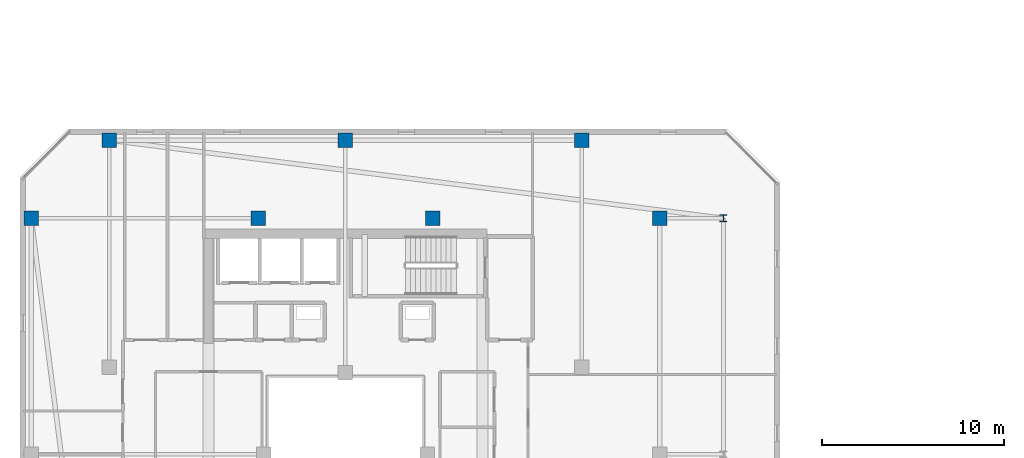
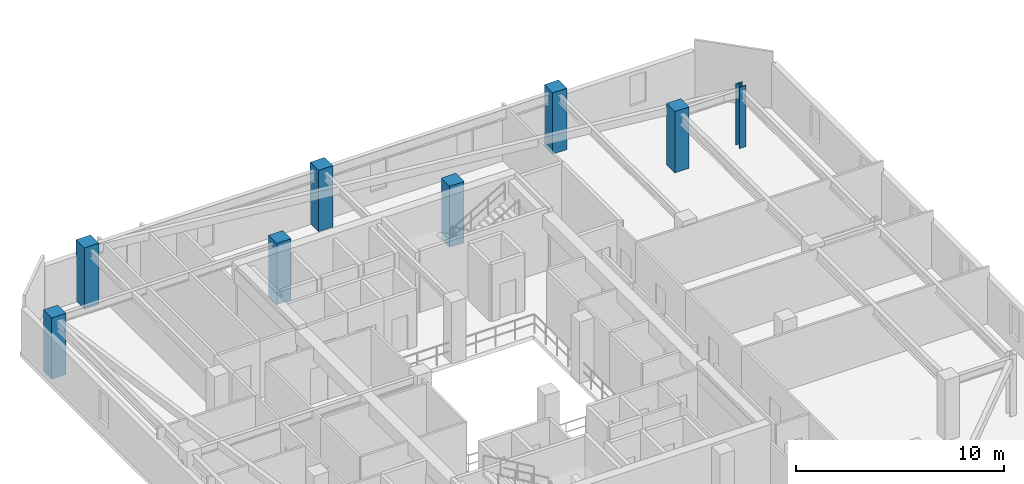
# One storey, part 3 of 35: 8 columns.
"""IFC4 building model written with IfcOpenShell, lengths in metres."""

import ifcopenshell
import ifcopenshell.guid

model = None  # the IFC model being written
_history = None  # IfcOwnerHistory: only IFC2X3 demands one
_inside = {}  # id of a spatial element -> (the spatial element, [elements in it])
_under = {}  # id of a project, library or spatial element -> (it, [spatial elements below it])
_declared = {}  # id of a project -> (the project, [libraries it declares])
_typed = {}  # id of a type object -> (the type object, [elements of that type])
_made_of = {}  # id of a material, layer set ... -> (it, [elements and type objects made of it])


def new_model(schema):
    """Start an empty IFC model of exactly this schema.

    Asked for "IFC4X3", IfcOpenShell would pick the latest addendum, in which some entities
    have other attributes; the version numbers below select the first issue.
    IFC2X3 requires an IfcOwnerHistory on every rooted entity: one is made here for all.
    """
    global model, _history
    if schema == "IFC4X3":
        model = ifcopenshell.file(schema_version=(4, 3, 0, 0))
    else:
        model = ifcopenshell.file(schema=schema)
    _inside.clear()
    _under.clear()
    _declared.clear()
    _typed.clear()
    _made_of.clear()
    _history = None
    if model.schema == "IFC2X3":
        org = make("IfcOrganization", Name="unknown")
        user = make(
            "IfcPersonAndOrganization",
            ThePerson=make("IfcPerson", FamilyName="unknown"),
            TheOrganization=org,
        )
        app = make(
            "IfcApplication",
            ApplicationDeveloper=org,
            Version="unknown",
            ApplicationFullName="unknown",
            ApplicationIdentifier="unknown",
        )
        _history = make(
            "IfcOwnerHistory",
            OwningUser=user,
            OwningApplication=app,
            ChangeAction="ADDED",
            CreationDate=0,
        )
    return model


def make(cls, **values):
    """One entity of the class cls with the attributes given. An attribute that is None is left unset."""
    return model.create_entity(
        cls, **{name: value for name, value in values.items() if value is not None}
    )


def rooted(cls, **values):
    """An entity with a GlobalId (a new one), such as an element, a storey or a relation."""
    return make(cls, GlobalId=ifcopenshell.guid.new(), OwnerHistory=_history, **values)


def si_unit(unit_type, name, prefix=None):
    """IfcSIUnit, for example si_unit("LENGTHUNIT", "METRE", prefix="MILLI")."""
    return make("IfcSIUnit", UnitType=unit_type, Prefix=prefix, Name=name)


def assignment(units):
    """IfcUnitAssignment: the units of a project."""
    return None if units is None else make("IfcUnitAssignment", Units=units)


def point(xyz):
    """IfcCartesianPoint."""
    return None if xyz is None else make("IfcCartesianPoint", Coordinates=xyz)


def direction(xyz):
    """IfcDirection."""
    return None if xyz is None else make("IfcDirection", DirectionRatios=xyz)


def frame(location, z_axis=None, x_axis=None):
    """IfcAxis2Placement3D, a coordinate frame: its origin and axes. An axis left out is left unset."""
    return make(
        "IfcAxis2Placement3D",
        Location=point(location),
        Axis=direction(z_axis),
        RefDirection=direction(x_axis),
    )


def frame_2d(location, x_axis=None):
    """IfcAxis2Placement2D, a coordinate frame in the plane: its origin and x axis."""
    return make(
        "IfcAxis2Placement2D", Location=point(location), RefDirection=direction(x_axis)
    )


def origin():
    """The frame at (0, 0, 0) with its axes left unset."""
    return frame((0.0, 0.0, 0.0))


def origin_2d():
    """The frame at (0, 0) in the plane with its x axis left unset."""
    return frame_2d((0.0, 0.0))


def place(relative_to, where):
    """IfcLocalPlacement: puts the frame where relative to a parent placement (None: the world)."""
    return make(
        "IfcLocalPlacement", PlacementRelTo=relative_to, RelativePlacement=where
    )


def context(
    kind, dimensions, precision=None, world=None, true_north=None, identifier=None
):
    """IfcGeometricRepresentationContext, for example the 3D "Model" context."""
    return make(
        "IfcGeometricRepresentationContext",
        ContextIdentifier=identifier,
        ContextType=kind,
        CoordinateSpaceDimension=dimensions,
        Precision=precision,
        WorldCoordinateSystem=world,
        TrueNorth=true_north,
    )


def subcontext(parent, identifier, kind, view, scale=None):
    """IfcGeometricRepresentationSubContext, for example "Body" below "Model"."""
    return make(
        "IfcGeometricRepresentationSubContext",
        ContextIdentifier=identifier,
        ContextType=kind,
        ParentContext=parent,
        TargetScale=scale,
        TargetView=view,
    )


def project(units=None, contexts=None):
    """IfcProject with its units and contexts."""
    return rooted(
        "IfcProject",
        Name="project",
        RepresentationContexts=contexts,
        UnitsInContext=assignment(units),
    )


def spatial(cls, under=None, at=None, **own):
    """A site, building, storey or space (cls), placed at a placement, below another one or the project."""
    s = rooted(cls, ObjectPlacement=at, **own)
    if under is not None:
        _under.setdefault(under.id(), (under, []))[1].append(s)
    return s


def profile(cls, at=None, kind="AREA", **sizes):
    """A parametric profile (cls). Its sizes go by their IFC names, for example OverallWidth=200.0."""
    return make(cls, ProfileType=kind, Position=at, **sizes)


def rectangle(**sizes):
    """IfcRectangleProfileDef."""
    return profile("IfcRectangleProfileDef", **sizes)


def i_section(**sizes):
    """IfcIShapeProfileDef."""
    return profile("IfcIShapeProfileDef", **sizes)


def extrude(swept, where, along, depth):
    """IfcExtrudedAreaSolid: the profile swept, set in the frame where, extruded along a direction by depth."""
    return make(
        "IfcExtrudedAreaSolid",
        SweptArea=swept,
        Position=where,
        ExtrudedDirection=direction(along),
        Depth=depth,
    )


def shape(context_of_items, identifier, shape_type, items):
    """IfcShapeRepresentation: the items that make up one representation, for example the "Body"."""
    return make(
        "IfcShapeRepresentation",
        ContextOfItems=context_of_items,
        RepresentationIdentifier=identifier,
        RepresentationType=shape_type,
        Items=items,
    )


def material(Name=None, Category=None):
    """IfcMaterial."""
    return make("IfcMaterial", Name=Name, Category=Category)


def material_profile(
    of_material, cross_section, Name=None, Category=None, Priority=None
):
    """IfcMaterialProfile: a cross section and its material."""
    return make(
        "IfcMaterialProfile",
        Name=Name,
        Material=of_material,
        Profile=cross_section,
        Priority=Priority,
        Category=Category,
    )


def profile_set(profiles, Name=None, composite=None):
    """IfcMaterialProfileSet."""
    return make(
        "IfcMaterialProfileSet",
        Name=Name,
        MaterialProfiles=profiles,
        CompositeProfile=composite,
    )


def made_of(thing, what):
    """Note that an element or type object is made of a material, layer set ...; save() writes the relation."""
    if what is not None:
        _made_of.setdefault(what.id(), (what, []))[1].append(thing)
    return thing


def type_object(cls, material=None, **own):
    """A type object (cls), such as IfcWallType, which elements share."""
    return made_of(rooted(cls, **own), material)


def element(
    cls,
    number,
    at=None,
    inside=None,
    cuts=None,
    type_object=None,
    material=None,
    context=None,
    identifier="Body",
    shape_type=None,
    held_by="IfcProductDefinitionShape",
    body=None,
    shapes=None,
    **own,
):
    """One element of the class cls, such as IfcWall. Its Tag is "e" and its number.

    at: its placement. inside: the storey or other place that contains it. cuts: it is an
    opening in that element (IfcRelVoidsElement). A single representation is given by context,
    identifier, shape_type and body (its items); several are given by shapes. held_by: the class
    of the entity that holds the representations. save() writes the other relations.
    """
    e = rooted(cls, Tag="e%d" % number, ObjectPlacement=at, **own)
    if body is not None:
        shapes = [shape(context, identifier, shape_type, body)]
    if shapes is not None:
        e.Representation = make(held_by, Representations=shapes)
    if inside is not None:
        _inside.setdefault(inside.id(), (inside, []))[1].append(e)
    if cuts is not None:
        rooted(
            "IfcRelVoidsElement", RelatingBuildingElement=cuts, RelatedOpeningElement=e
        )
    if type_object is not None:
        _typed.setdefault(type_object.id(), (type_object, []))[1].append(e)
    return made_of(e, material)


def aggregate(whole, parts):
    """IfcRelAggregates: a whole, such as a stair, and the parts it consists of."""
    return rooted("IfcRelAggregates", RelatingObject=whole, RelatedObjects=parts)


def save(model, path):
    """Write the relations noted so far, then the file.

    IfcRelAggregates (storeys below a building ...), IfcRelContainedInSpatialStructure (elements
    in a storey), IfcRelDefinesByType, IfcRelAssociatesMaterial and IfcRelDeclares: one each for
    every whole, place, type object, material and project.
    """
    for whole, parts in _under.values():
        aggregate(whole, parts)
    for where, things in _inside.values():
        rooted(
            "IfcRelContainedInSpatialStructure",
            RelatedElements=things,
            RelatingStructure=where,
        )
    for kind, things in _typed.values():
        rooted("IfcRelDefinesByType", RelatedObjects=things, RelatingType=kind)
    for what, things in _made_of.values():
        rooted("IfcRelAssociatesMaterial", RelatedObjects=things, RelatingMaterial=what)
    for by, libraries in _declared.values():
        rooted("IfcRelDeclares", RelatingContext=by, RelatedDefinitions=libraries)
    model.write(path)


model = new_model("IFC4")

# Units and contexts
model_context = context("Model", 3, precision=1e-05, world=origin(), true_north=direction((0.0, 1.0)))
body_context = subcontext(model_context, "Body", "Model", "MODEL_VIEW")
ifc_project = project(units=[si_unit("LENGTHUNIT", "METRE"), si_unit("AREAUNIT", "SQUARE_METRE"), si_unit("VOLUMEUNIT", "CUBIC_METRE"), si_unit("PLANEANGLEUNIT", "RADIAN"), si_unit("MASSUNIT", "GRAM", prefix="KILO")], contexts=[model_context])

# Site, building, storey
site_placement = place(None, origin())
site = spatial("IfcSite", under=ifc_project, at=site_placement, CompositionType="ELEMENT")
building_placement = place(site_placement, origin())
building = spatial("IfcBuilding", under=site, at=building_placement, Name="Thornwick Lancets Civic Towers", CompositionType="ELEMENT")
storey_placement = place(building_placement, frame((0.0, 0.0, 272.699951171875)))
storey = spatial("IfcBuildingStorey", under=building, at=storey_placement, Name="L73", CompositionType="ELEMENT", Elevation=272.699951171875)

# Columns
ifc_material_1 = material(Name="Concrete C50/60", Category="concrete")
ifc_material_profile_1 = material_profile(ifc_material_1, rectangle(XDim=0.800048828125, YDim=0.800048828125, at=origin_2d()), Name="RC 800x800")
ifc_profile_set_1 = profile_set([ifc_material_profile_1], Name="Concrete C50/60")
column_type_1 = type_object("IfcColumnType", Name="COL_RC_800", PredefinedType="COLUMN", material=ifc_profile_set_1)
for number, where, z_axis, x_axis, name in (
    (1, (42.800048828125, 40.0, 0.0), (0.0, 0.0, 1.0), (1.0, 0.0, 0.0), "L73 Spine Mega-Column A06"),
    (2, (12.5, 44.300048828125, 0.0), (0.0, 0.0, 1.0), (1.0, 0.0, 0.0), "L73 Spine Mega-Column A07"),
    (3, (25.5, 44.300048828125, 0.0), (0.0, 0.0, 1.0), (1.0, 0.0, 0.0), "L73 Spine Mega-Column A08"),
    (4, (38.5, 44.300048828125, 0.0), (0.0, 0.0, 1.0), (1.0, 0.0, 0.0), "L73 Spine Mega-Column A09"),
    (5, (8.199951171875, 40.0, 0.0), (0.0, 0.0, 1.0), (1.0, 0.0, 0.0), "L73 Spine Mega-Column A12"),
    (6, (20.699951171875, 40.0, 0.0), (0.0, 0.0, 1.0), (1.0, 0.0, 0.0), "L73 Spine Mega-Column A19"),
    (7, (30.300048828125, 40.0, 0.0), (0.0, 0.0, 1.0), (1.0, 0.0, 0.0), "L73 Spine Mega-Column A20"),
):
    element("IfcColumn", number, at=place(storey_placement, frame(where, z_axis=z_axis, x_axis=x_axis)), inside=storey, type_object=column_type_1, Name=name, PredefinedType="COLUMN", context=body_context, shape_type="SweptSolid", body=[
        extrude(rectangle(XDim=0.800048828125, YDim=0.800048828125, at=origin_2d()), origin(), (0.0, 0.0, 1.0), 3.60009765625),
    ])
ifc_material_2 = material(Name="Steel S355JR", Category="steel")
ifc_material_profile_2 = material_profile(ifc_material_2, i_section(OverallWidth=0.374755859375, OverallDepth=0.37451171875, WebThickness=0.0166015625, FlangeThickness=0.027099609375, FilletRadius=0.01513671875, at=origin_2d()), Name="UKC 356x368x202")
ifc_profile_set_2 = profile_set([ifc_material_profile_2], Name="Steel S355JR")
column_type_2 = type_object("IfcColumnType", Name="COL_UKC_202", PredefinedType="COLUMN", material=ifc_profile_set_2)
column_placement = place(storey_placement, frame((46.300048828125, 40.0, 0.0), z_axis=(0.0, 0.0, 1.0), x_axis=(1.0, 0.0, 0.0)))
element("IfcColumn", 8, at=column_placement, inside=storey, type_object=column_type_2, Name="L73 Block Perimeter Column A06", PredefinedType="COLUMN", context=body_context, shape_type="SweptSolid", body=[
    extrude(i_section(OverallWidth=0.374755859375, OverallDepth=0.37451171875, WebThickness=0.0166015625, FlangeThickness=0.027099609375, FilletRadius=0.01513671875, at=origin_2d()), origin(), (0.0, 0.0, 1.0), 3.60009765625),
])

save(model, "model.ifc")
